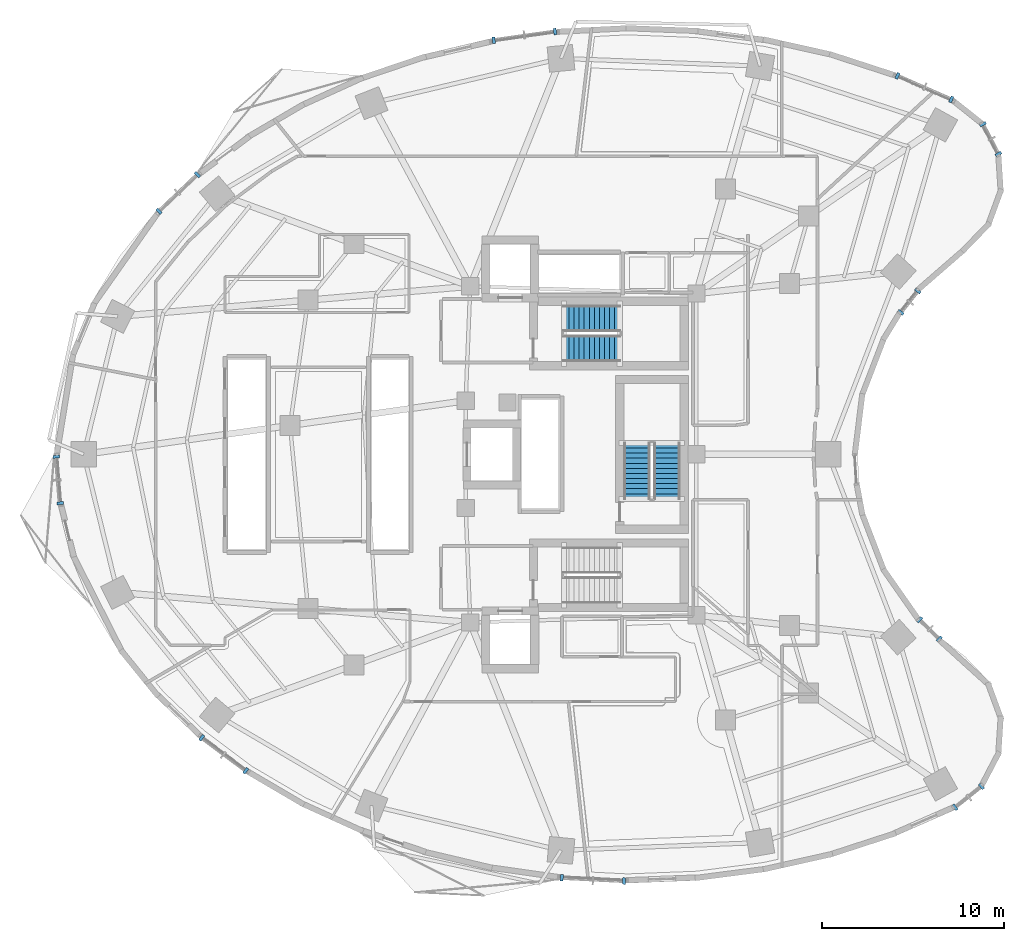
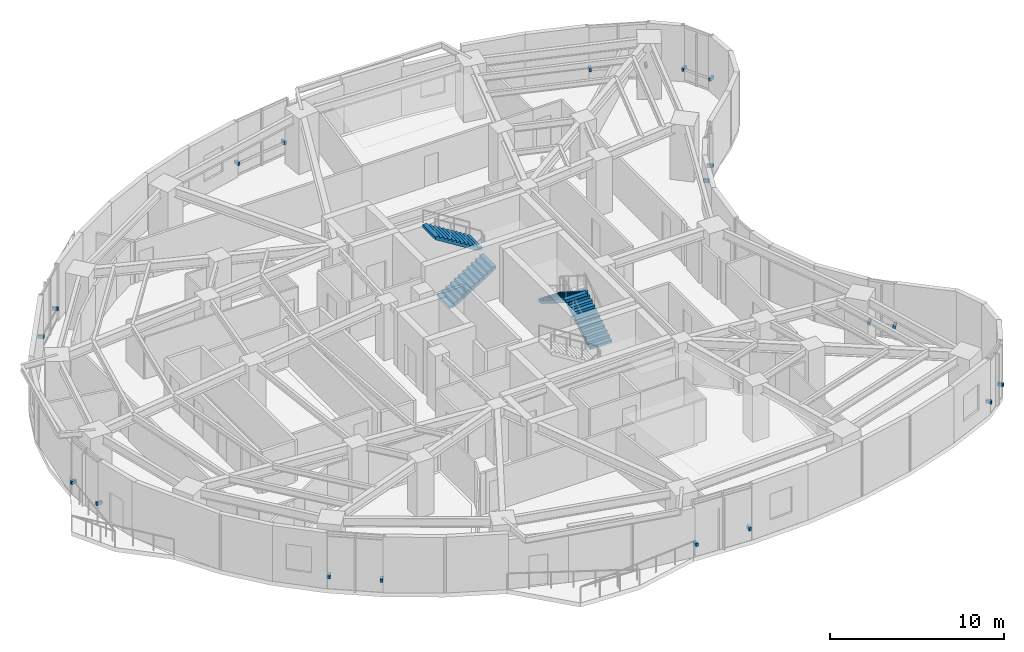
# One storey, part 12 of 15: 20 discrete accessories, 4 stair flights, 2 elements without a shape of their own.
"""IFC4 building model written with IfcOpenShell, lengths in metres."""

from ifc_helpers import new_model, si_unit, direction, frame, origin, origin_2d, place, context, subcontext, project, spatial, polyline, rectangle, outline, extrude, material, type_object, element, aggregate, save


model = new_model("IFC4")

# Units and contexts
model_context = context("Model", 3, precision=1e-05, world=origin(), true_north=direction((0.0, 1.0)))
body_context = subcontext(model_context, "Body", "Model", "MODEL_VIEW")
ifc_project = project(units=[si_unit("LENGTHUNIT", "METRE"), si_unit("AREAUNIT", "SQUARE_METRE"), si_unit("VOLUMEUNIT", "CUBIC_METRE"), si_unit("PLANEANGLEUNIT", "RADIAN"), si_unit("MASSUNIT", "GRAM", prefix="KILO")], contexts=[model_context])

# Site, building, storey
site_placement = place(None, origin())
site = spatial("IfcSite", under=ifc_project, at=site_placement, CompositionType="ELEMENT")
building_placement = place(site_placement, origin())
building = spatial("IfcBuilding", under=site, at=building_placement, Name="Korentha Bioscience Tower", CompositionType="ELEMENT")
storey_placement = place(building_placement, frame((0.0, 0.0, 72.0)))
storey = spatial("IfcBuildingStorey", under=building, at=storey_placement, Name="L16", CompositionType="ELEMENT", Elevation=72.0)

# Stair, stair flights
ifc_material_1 = material(Name="Precast Concrete C50", Category="concrete")
stair_type = type_object("IfcStairType", Name="Core Exit Dog-Leg Stair 1450", PredefinedType="HALF_TURN_STAIR", material=ifc_material_1)
stair_1_placement = place(storey_placement, origin())
stair_1 = element("IfcStair", 1, at=stair_1_placement, inside=storey, type_object=stair_type, Name="L16 Tower North Pressurized Exit Stair ST-1", PredefinedType="HALF_TURN_STAIR")
stair_flight_type = type_object("IfcStairFlightType", Name="Core Exit Dog-Leg Stair 1450 Flight", PredefinedType="STRAIGHT", material=ifc_material_1)
stair_flight_1_placement = place(storey_placement, frame((30.25, 32.824951171875, 0.0), z_axis=(0.0, 0.0, 1.0), x_axis=(1.0, 0.0, 0.0)))
stair_flight_1 = element("IfcStairFlight", 2, at=stair_flight_1_placement, type_object=stair_flight_type, Name="ST-1 flight 1", NumberOfRisers=12, NumberOfTreads=11, PredefinedType="STRAIGHT", RiserHeight=0.175, TreadLength=0.28, context=body_context, shape_type="SweptSolid", body=[
    extrude(outline(polyline([(0.0, 0.0), (0.0, 0.175048828125), (0.280029296875, 0.175048828125), (0.280029296875, 0.35009765625), (0.56005859375, 0.35009765625), (0.56005859375, 0.52490234375), (0.840087890625, 0.52490234375), (0.840087890625, 0.699951171875), (1.1201171875, 0.699951171875), (1.1201171875, 0.875), (1.39990234375, 0.875), (1.39990234375, 1.050048828125), (1.679931640625, 1.050048828125), (1.679931640625, 1.22509765625), (1.9599609375, 1.22509765625), (1.9599609375, 1.39990234375), (2.239990234375, 1.39990234375), (2.239990234375, 1.574951171875), (2.52001953125, 1.574951171875), (2.52001953125, 1.75), (2.800048828125, 1.75), (2.800048828125, 1.925048828125), (3.080078125, 1.925048828125), (3.080078125, 2.10009765625), (3.080078125, 1.736328125), (0.3017578125, 0.0), (0.0, 0.0)])), frame((0.0, 0.72509765625, 0.0), z_axis=(0.0, -1.0, 0.0), x_axis=(1.0, 0.0, 0.0)), (0.0, 0.0, 1.0), 1.449951171875),
])
stair_flight_2_placement = place(storey_placement, frame((33.330078125, 34.47509765625, 2.10009765625), z_axis=(0.0, 0.0, 1.0), x_axis=(-1.0, 0.0, 0.0)))
stair_flight_2 = element("IfcStairFlight", 3, at=stair_flight_2_placement, type_object=stair_flight_type, Name="ST-1 flight 2", NumberOfRisers=12, NumberOfTreads=11, PredefinedType="STRAIGHT", RiserHeight=0.175, TreadLength=0.28, context=body_context, shape_type="SweptSolid", body=[
    extrude(outline(polyline([(0.0, 0.0), (0.0, 0.175048828125), (0.280029296875, 0.175048828125), (0.280029296875, 0.35009765625), (0.56005859375, 0.35009765625), (0.56005859375, 0.52490234375), (0.840087890625, 0.52490234375), (0.840087890625, 0.699951171875), (1.1201171875, 0.699951171875), (1.1201171875, 0.875), (1.39990234375, 0.875), (1.39990234375, 1.050048828125), (1.679931640625, 1.050048828125), (1.679931640625, 1.22509765625), (1.9599609375, 1.22509765625), (1.9599609375, 1.39990234375), (2.239990234375, 1.39990234375), (2.239990234375, 1.574951171875), (2.52001953125, 1.574951171875), (2.52001953125, 1.75), (2.800048828125, 1.75), (2.800048828125, 1.925048828125), (3.080078125, 1.925048828125), (3.080078125, 2.10009765625), (3.080078125, 1.736328125), (0.3017578125, 0.0), (0.0, 0.0)])), frame((0.0, 0.72509765625, 0.0), z_axis=(0.0, -1.0, 0.0), x_axis=(1.0, 0.0, 0.0)), (0.0, 0.0, 1.0), 1.449951171875),
])
aggregate(stair_1, [stair_flight_1, stair_flight_2])

stair_2_placement = place(storey_placement, origin())
stair_2 = element("IfcStair", 4, at=stair_2_placement, inside=storey, type_object=stair_type, Name="L16 Tower Central Pressurized Exit Stair ST-3", PredefinedType="HALF_TURN_STAIR")
stair_flight_3_placement = place(storey_placement, frame((35.925048828125, 24.550048828125, 0.0), z_axis=(0.0, 0.0, 1.0), x_axis=(0.0, 1.0, 0.0)))
stair_flight_3 = element("IfcStairFlight", 5, at=stair_flight_3_placement, type_object=stair_flight_type, Name="ST-3 flight 1", NumberOfRisers=12, NumberOfTreads=11, PredefinedType="STRAIGHT", RiserHeight=0.175, TreadLength=0.28, context=body_context, shape_type="SweptSolid", body=[
    extrude(outline(polyline([(0.0, 0.0), (0.0, 0.175048828125), (0.280029296875, 0.175048828125), (0.280029296875, 0.35009765625), (0.56005859375, 0.35009765625), (0.56005859375, 0.52490234375), (0.840087890625, 0.52490234375), (0.840087890625, 0.699951171875), (1.1201171875, 0.699951171875), (1.1201171875, 0.875), (1.39990234375, 0.875), (1.39990234375, 1.050048828125), (1.679931640625, 1.050048828125), (1.679931640625, 1.22509765625), (1.9599609375, 1.22509765625), (1.9599609375, 1.39990234375), (2.239990234375, 1.39990234375), (2.239990234375, 1.574951171875), (2.52001953125, 1.574951171875), (2.52001953125, 1.75), (2.800048828125, 1.75), (2.800048828125, 1.925048828125), (3.080078125, 1.925048828125), (3.080078125, 2.10009765625), (3.080078125, 1.736328125), (0.3017578125, 0.0), (0.0, 0.0)])), frame((0.0, 0.72509765625, 0.0), z_axis=(0.0, -1.0, 0.0), x_axis=(1.0, 0.0, 0.0)), (0.0, 0.0, 1.0), 1.449951171875),
])
stair_flight_4_placement = place(storey_placement, frame((34.27490234375, 27.6298828125, 2.10009765625), z_axis=(0.0, 0.0, 1.0), x_axis=(0.0, -1.0, 0.0)))
stair_flight_4 = element("IfcStairFlight", 6, at=stair_flight_4_placement, type_object=stair_flight_type, Name="ST-3 flight 2", NumberOfRisers=12, NumberOfTreads=11, PredefinedType="STRAIGHT", RiserHeight=0.175, TreadLength=0.28, context=body_context, shape_type="SweptSolid", body=[
    extrude(outline(polyline([(0.0, 0.0), (0.0, 0.175048828125), (0.280029296875, 0.175048828125), (0.280029296875, 0.35009765625), (0.56005859375, 0.35009765625), (0.56005859375, 0.52490234375), (0.840087890625, 0.52490234375), (0.840087890625, 0.699951171875), (1.1201171875, 0.699951171875), (1.1201171875, 0.875), (1.39990234375, 0.875), (1.39990234375, 1.050048828125), (1.679931640625, 1.050048828125), (1.679931640625, 1.22509765625), (1.9599609375, 1.22509765625), (1.9599609375, 1.39990234375), (2.239990234375, 1.39990234375), (2.239990234375, 1.574951171875), (2.52001953125, 1.574951171875), (2.52001953125, 1.75), (2.800048828125, 1.75), (2.800048828125, 1.925048828125), (3.080078125, 1.925048828125), (3.080078125, 2.10009765625), (3.080078125, 1.736328125), (0.3017578125, 0.0), (0.0, 0.0)])), frame((0.0, 0.72509765625, 0.0), z_axis=(0.0, -1.0, 0.0), x_axis=(1.0, 0.0, 0.0)), (0.0, 0.0, 1.0), 1.449951171875),
])
aggregate(stair_2, [stair_flight_3, stair_flight_4])

# Discrete accessories
ifc_material_2 = material(Name="Stainless Steel 316", Category="steel")
discrete_accessory_type = type_object("IfcDiscreteAccessoryType", Name="Stainless Steel Solar-Screen Outrigger Bracket", PredefinedType="BRACKET", material=ifc_material_2)
for number, where, z_axis, x_axis, name in (
    (7, (51.572998046875, 46.536865234375, 0.740234375), (0.0, 0.0, 1.0), (-0.91593909057, 0.401317308828, 0.0), "CW-L16-01 Solar-Screen Support Bracket 1"),
    (8, (48.61279296875, 47.833740234375, 0.740234375), (0.0, 0.0, 1.0), (-0.91593909057, 0.401317308828, 0.0), "CW-L16-01 Solar-Screen Support Bracket 2"),
    (9, (29.76611328125, 50.271240234375, 0.740234375), (0.0, 0.0, 1.0), (-0.990167372968, -0.139887717511, 0.0), "CW-L16-07 Solar-Screen Support Bracket 1"),
    (10, (26.39306640625, 49.794677734375, 0.740234375), (0.0, 0.0, 1.0), (-0.990167372968, -0.139887717511, 0.0), "CW-L16-07 Solar-Screen Support Bracket 2"),
    (11, (10.08251953125, 42.396728515625, 0.740234375), (0.0, 0.0, 1.0), (-0.723641761581, -0.690175775361, 0.0), "CW-L16-13 Solar-Screen Support Bracket 1"),
    (12, (7.966552734375, 40.378662109375, 0.740234375), (0.0, 0.0, 1.0), (-0.723641761581, -0.690175775361, 0.0), "CW-L16-13 Solar-Screen Support Bracket 2"),
    (13, (2.320556640625, 26.8740234375, 0.740234375), (0.0, 0.0, 1.0), (0.080820466375, -0.996728675325, 0.0), "CW-L16-19 Solar-Screen Support Bracket 1"),
    (14, (2.5283203125, 24.31298828125, 0.740234375), (0.0, 0.0, 1.0), (0.080820466375, -0.996728675325, 0.0), "CW-L16-19 Solar-Screen Support Bracket 2"),
    (15, (10.3212890625, 11.402099609375, 0.740234375), (0.0, 0.0, 1.0), (0.800797909614, -0.598934644145, 0.0), "CW-L16-25 Solar-Screen Support Bracket 1"),
    (16, (12.74609375, 9.58837890625, 0.740234375), (0.0, 0.0, 1.0), (0.800797909614, -0.598934644145, 0.0), "CW-L16-25 Solar-Screen Support Bracket 2"),
    (17, (30.14013671875, 3.693115234375, 0.740234375), (0.0, 0.0, 1.0), (0.998730551641, -0.050371472279, 0.0), "CW-L16-31 Solar-Screen Support Bracket 1"),
    (18, (33.565185546875, 3.520263671875, 0.740234375), (0.0, 0.0, 1.0), (0.998730551641, -0.050371472279, 0.0), "CW-L16-31 Solar-Screen Support Bracket 2"),
    (19, (51.781494140625, 7.57470703125, 0.740234375), (0.0, 0.0, 1.0), (0.782287851332, 0.62291710336, 0.0), "CW-L16-37 Solar-Screen Support Bracket 1"),
    (20, (53.232421875, 8.72998046875, 0.740234375), (0.0, 0.0, 1.0), (0.782287851332, 0.62291710336, 0.0), "CW-L16-37 Solar-Screen Support Bracket 2"),
    (21, (50.907470703125, 16.841552734375, 0.740234375), (0.0, 0.0, 1.0), (-0.713279246754, 0.700879958445, 0.0), "CW-L16-43 Solar-Screen Support Bracket 1"),
    (22, (49.829345703125, 17.901123046875, 0.740234375), (0.0, 0.0, 1.0), (-0.713279246754, 0.700879958445, 0.0), "CW-L16-43 Solar-Screen Support Bracket 2"),
    (23, (48.794921875, 34.812255859375, 0.740234375), (0.0, 0.0, 1.0), (0.622520324648, 0.782603632371, 0.0), "CW-L16-55 Solar-Screen Support Bracket 1"),
    (24, (49.736083984375, 35.995361328125, 0.740234375), (0.0, 0.0, 1.0), (0.622520324648, 0.782603632371, 0.0), "CW-L16-55 Solar-Screen Support Bracket 2"),
    (25, (54.169921875, 43.530517578125, 0.740234375), (0.0, 0.0, 1.0), (-0.463008597697, 0.886353788539, 0.0), "CW-L16-61 Solar-Screen Support Bracket 1"),
    (26, (53.31103515625, 45.1748046875, 0.740234375), (0.0, 0.0, 1.0), (-0.463008597697, 0.886353788539, 0.0), "CW-L16-61 Solar-Screen Support Bracket 2"),
):
    element("IfcDiscreteAccessory", number, at=place(storey_placement, frame(where, z_axis=z_axis, x_axis=x_axis)), inside=storey, type_object=discrete_accessory_type, Name=name, PredefinedType="BRACKET", context=body_context, shape_type="SweptSolid", body=[
        extrude(rectangle(XDim=0.159912109375, YDim=0.360107421875, at=origin_2d()), origin(), (0.0, 0.0, 1.0), 0.219970703125),
    ])

save(model, "model.ifc")
